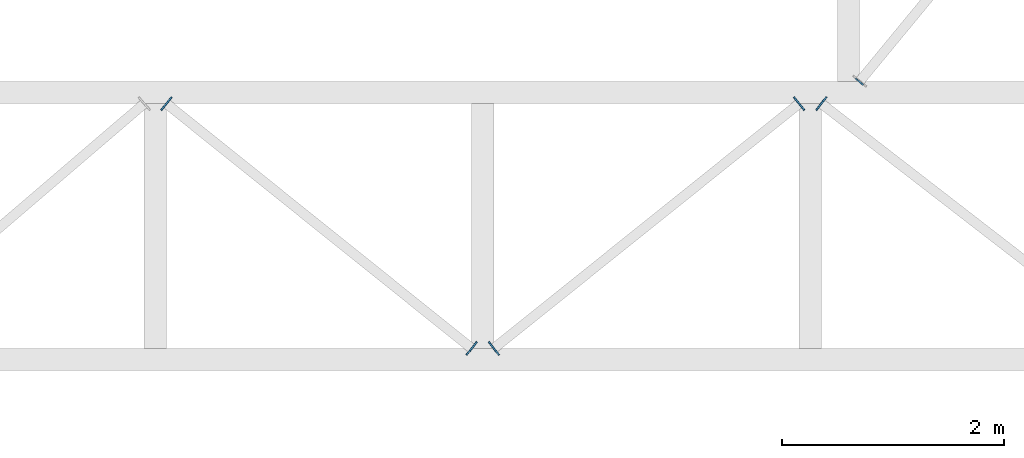
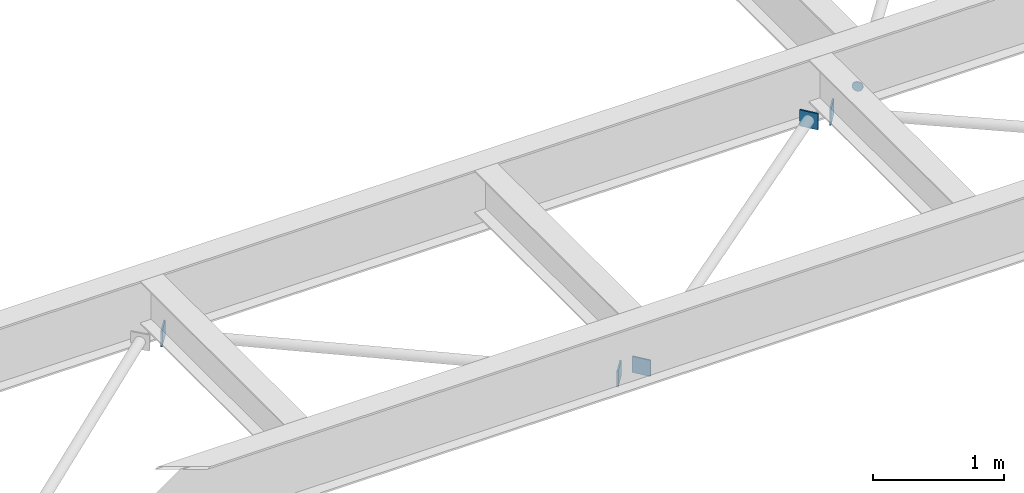
# One storey, part 85 of 103: 6 discrete accessories.
"""IFC4 building model written with IfcOpenShell, lengths in metres."""

from ifc_helpers import new_model, si_unit, direction, frame, origin, origin_2d, place, context, subcontext, project, spatial, rectangle, circle, extrude, material, material_profile, profile_set, type_object, element, save


model = new_model("IFC4")

# Units and contexts
model_context = context("Model", 3, precision=1e-05, world=origin(), true_north=direction((0.0, 1.0)))
body_context = subcontext(model_context, "Body", "Model", "MODEL_VIEW")
ifc_project = project(units=[si_unit("LENGTHUNIT", "METRE"), si_unit("AREAUNIT", "SQUARE_METRE"), si_unit("VOLUMEUNIT", "CUBIC_METRE"), si_unit("PLANEANGLEUNIT", "RADIAN"), si_unit("MASSUNIT", "GRAM", prefix="KILO")], contexts=[model_context])

# Site, building, storey
site_placement = place(None, origin())
site = spatial("IfcSite", under=ifc_project, at=site_placement, CompositionType="ELEMENT")
building_placement = place(site_placement, origin())
building = spatial("IfcBuilding", under=site, at=building_placement, Name="Laocheng Heights Fire and Rescue Headquarters", CompositionType="ELEMENT")
storey_placement = place(building_placement, frame((0.0, 0.0, 4.199951171875)))
storey = spatial("IfcBuildingStorey", under=building, at=storey_placement, Name="L01", CompositionType="ELEMENT", Elevation=4.199951171875)

# Discrete accessories
ifc_material_1 = material(Name="Steel Q355B", Category="steel")
ifc_material_profile_1 = material_profile(ifc_material_1, circle(Radius=0.04443359375, at=origin_2d()), Name="END CAP PLATE D89 x 8 FOR STEEL BRIDGE PLAN BRACE CHS 88.9x5")
ifc_profile_set_1 = profile_set([ifc_material_profile_1], Name="Steel Q355B")
discrete_accessory_type_1 = type_object("IfcDiscreteAccessoryType", Name="END CAP PLATE D89 x 8 FOR STEEL BRIDGE PLAN BRACE CHS 88.9x5", PredefinedType="BRACKET", material=ifc_profile_set_1)
discrete_accessory_1_placement = place(storey_placement, frame((93.094970703125, 24.69384765625, 3.4443359375), z_axis=(0.643192086423, 0.76570486479, 0.0), x_axis=(-0.76570486479, 0.643192086423, 0.0)))
element("IfcDiscreteAccessory", 1, at=discrete_accessory_1_placement, inside=storey, type_object=discrete_accessory_type_1, Name="Cap plate at Bridge B4 plan bracing end 1", PredefinedType="BRACKET", context=body_context, shape_type="SweptSolid", body=[
    extrude(circle(Radius=0.04443359375, at=origin_2d()), origin(), (0.0, 0.0, 1.0), 0.008056640625),
])
ifc_material_2 = material(Name="Steel Q355B, dark grey painted", Category="steel")
ifc_material_profile_2 = material_profile(ifc_material_2, rectangle(XDim=0.14990234375, YDim=0.14990234375, at=origin_2d()), Name="GUSSET PLATE 150 x 150 x 13 FOR STEEL BRIDGE PLAN BRACE CHS 88.9x5")
ifc_profile_set_2 = profile_set([ifc_material_profile_2], Name="Steel Q355B, dark grey painted")
discrete_accessory_type_2 = type_object("IfcDiscreteAccessoryType", Name="GUSSET PLATE 150 x 150 x 13 FOR STEEL BRIDGE PLAN BRACE CHS 88.9x5", PredefinedType="BRACKET", material=ifc_profile_set_2)
discrete_accessory_2_placement = place(storey_placement, frame((86.86328125, 24.50439453125, 3.4443359375), z_axis=(0.777244870707, -0.629198228668, 0.0), x_axis=(0.629198228668, 0.777244870707, 0.0)))
element("IfcDiscreteAccessory", 2, at=discrete_accessory_2_placement, inside=storey, type_object=discrete_accessory_type_2, Name="End plate at M2-Q end 1", PredefinedType="BRACKET", context=body_context, shape_type="SweptSolid", body=[
    extrude(rectangle(XDim=0.14990234375, YDim=0.14990234375, at=origin_2d()), origin(), (0.0, 0.0, 1.0), 0.01318359375),
])
for number, where, z_axis, x_axis, name in (
    (3, (89.60791015625, 22.3037109375, 3.4443359375), (0.779011685263, -0.627009405212, 0.0), (0.627009405212, 0.779011685263, 0.0), "End plate at M2-Q end 2"),
    (4, (89.806884765625, 22.295654296875, 3.4443359375), (0.786318338822, 0.617821551932, 0.0), (-0.617821551932, 0.786318338822, 0.0), "End plate at M2-Q end 1"),
):
    element("IfcDiscreteAccessory", number, at=place(storey_placement, frame(where, z_axis=z_axis, x_axis=x_axis)), inside=storey, type_object=discrete_accessory_type_2, Name=name, PredefinedType="BRACKET", context=body_context, shape_type="SweptSolid", body=[
        extrude(rectangle(XDim=0.14990234375, YDim=0.14990234375, at=origin_2d()), origin(), (0.0, 0.0, 1.0), 0.012939453125),
    ])
discrete_accessory_3_placement = place(storey_placement, frame((92.551513671875, 24.49609375, 3.4443359375), z_axis=(0.777244870707, 0.629198228668, 0.0), x_axis=(-0.629198228668, 0.777244870707, 0.0)))
element("IfcDiscreteAccessory", 5, at=discrete_accessory_3_placement, inside=storey, type_object=discrete_accessory_type_2, Name="End plate at M2-Q end 2", PredefinedType="BRACKET", context=body_context, shape_type="SweptSolid", body=[
    extrude(rectangle(XDim=0.14990234375, YDim=0.14990234375, at=origin_2d()), origin(), (0.0, 0.0, 1.0), 0.01318359375),
])
discrete_accessory_4_placement = place(storey_placement, frame((92.750732421875, 24.50439453125, 3.4443359375), z_axis=(0.786318338822, -0.617821551932, 0.0), x_axis=(0.617821551932, 0.786318338822, 0.0)))
element("IfcDiscreteAccessory", 6, at=discrete_accessory_4_placement, inside=storey, type_object=discrete_accessory_type_2, Name="End plate at M2-Q end 1", PredefinedType="BRACKET", context=body_context, shape_type="SweptSolid", body=[
    extrude(rectangle(XDim=0.14990234375, YDim=0.14990234375, at=origin_2d()), origin(), (0.0, 0.0, 1.0), 0.012939453125),
])

save(model, "model.ifc")
